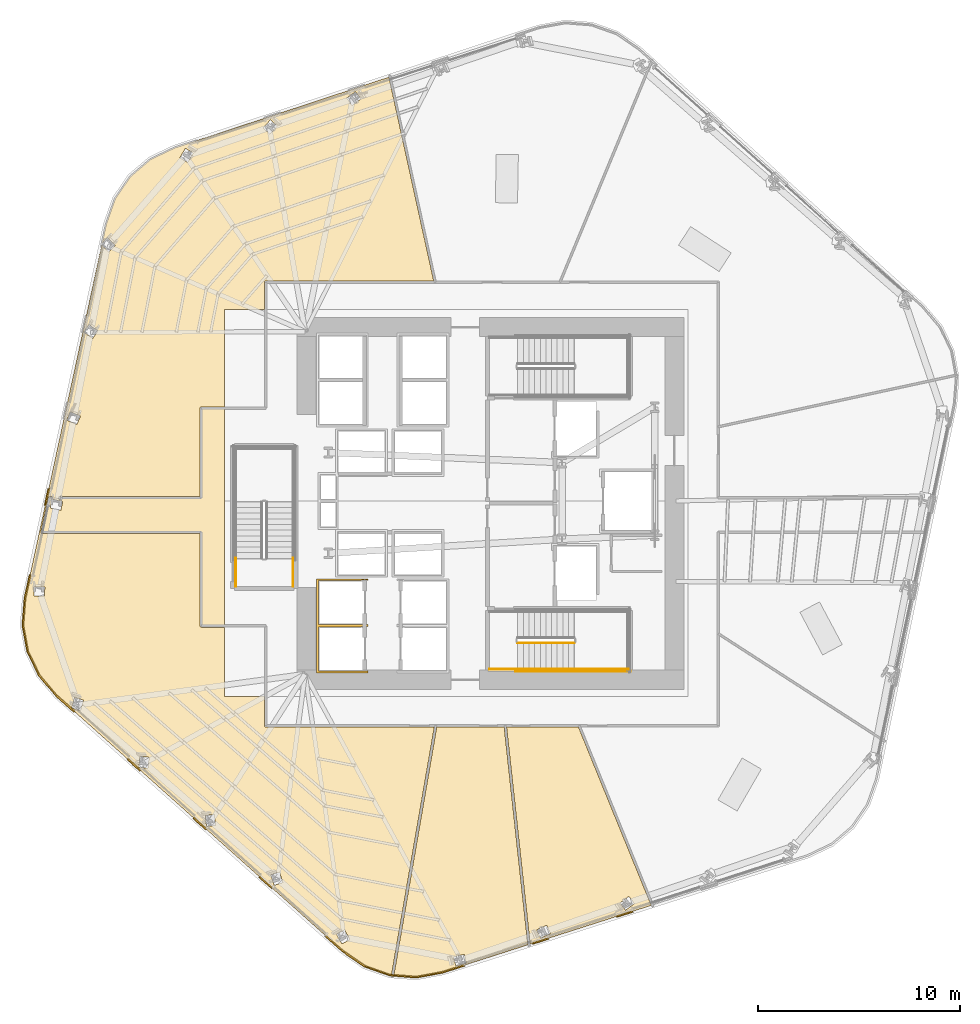
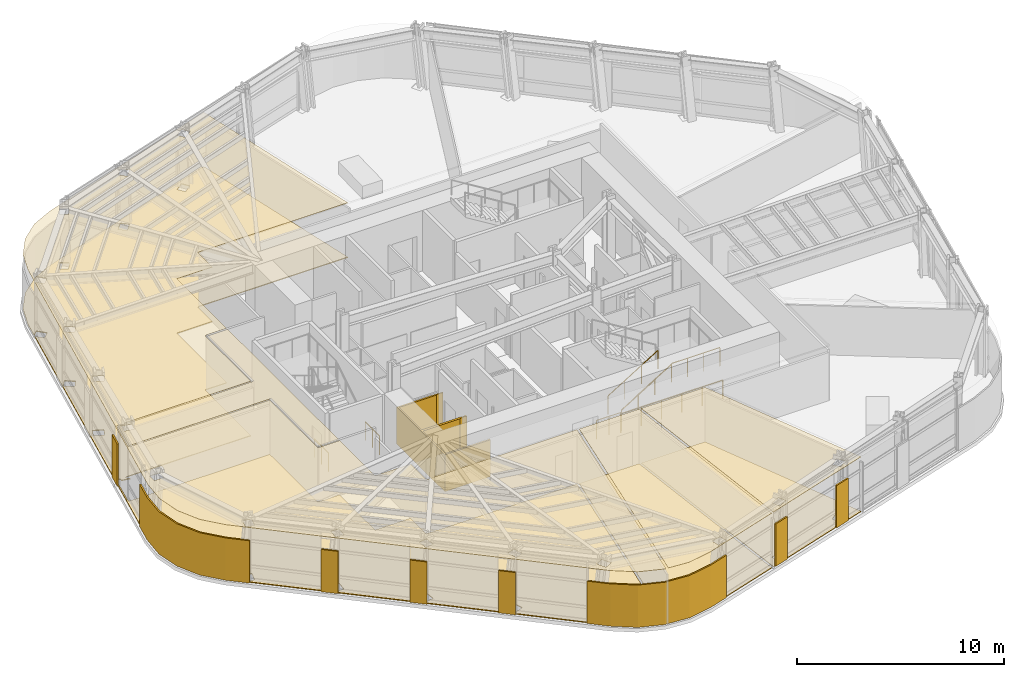
# One storey, part 11 of 16: 16 coverings, 7 railings.
"""IFC4 building model written with IfcOpenShell, lengths in metres."""

from ifc_helpers import new_model, si_unit, direction, frame, origin, origin_2d, place, context, subcontext, project, spatial, polyline, circle, outline, extrude, material, layer, layer_set, type_object, element, save


model = new_model("IFC4")

# Units and contexts
model_context = context("Model", 3, precision=1e-05, world=origin(), true_north=direction((0.0, 1.0)))
body_context = subcontext(model_context, "Body", "Model", "MODEL_VIEW")
ifc_project = project(units=[si_unit("LENGTHUNIT", "METRE"), si_unit("AREAUNIT", "SQUARE_METRE"), si_unit("VOLUMEUNIT", "CUBIC_METRE"), si_unit("PLANEANGLEUNIT", "RADIAN"), si_unit("MASSUNIT", "GRAM", prefix="KILO")], contexts=[model_context])

# Site, building, storey
site_placement = place(None, origin())
site = spatial("IfcSite", under=ifc_project, at=site_placement, CompositionType="ELEMENT")
building_placement = place(site_placement, origin())
building = spatial("IfcBuilding", under=site, at=building_placement, Name="Valkerne Bourse Tower", CompositionType="ELEMENT")
storey_placement = place(building_placement, frame((0.0, 0.0, 101.0)))
storey = spatial("IfcBuildingStorey", under=building, at=storey_placement, Name="L25", CompositionType="ELEMENT", Elevation=101.0)

# Coverings
ifc_material_1 = material(Name="Mineral Fiber Acoustic Ceiling Tile", Category="acoustic")
ifc_layer_1 = layer(ifc_material_1, 0.02490234375)
ifc_layer_set_1 = layer_set([ifc_layer_1], Name="Mineral Fiber Acoustic Ceiling Tile")
covering_type_1 = type_object("IfcCoveringType", Name="COV-CEIL-ACT", PredefinedType="CEILING", material=ifc_layer_set_1)
covering_1_placement = place(storey_placement, frame((0.0, 0.0, 3.22998046875)))
element("IfcCovering", 1, at=covering_1_placement, inside=storey, type_object=covering_type_1, Name="L25 Suspended Ceiling 03", PredefinedType="CEILING", context=body_context, shape_type="SweptSolid", body=[
    extrude(outline(polyline([(51.16357421875, 15.781005859375), (54.77587890625, 6.929443359375), (48.768310546875, 5.005615234375), (47.59765625, 15.781005859375), (51.16357421875, 15.781005859375)]), holes=[polyline([(49.7744140625, 5.531982421875), (49.5869140625, 5.94091796875), (49.583740234375, 5.9404296875), (49.09619140625, 5.715576171875), (49.28369140625, 5.306640625), (49.286865234375, 5.306884765625), (49.7744140625, 5.531982421875)]), polyline([(53.935791015625, 7.01318359375), (53.6689453125, 7.375244140625), (53.666015625, 7.37451171875), (53.234375, 7.0546875), (53.501220703125, 6.692626953125), (53.504150390625, 6.693603515625), (53.935791015625, 7.01318359375)])]), origin(), (0.0, 0.0, 1.0), 0.02490234375),
])
covering_2_placement = place(storey_placement, frame((0.0, 0.0, 3.22998046875)))
element("IfcCovering", 2, at=covering_2_placement, inside=storey, type_object=covering_type_1, Name="L25 Suspended Ceiling 04", PredefinedType="CEILING", context=body_context, shape_type="SweptSolid", body=[
    extrude(outline(polyline([(42.003662109375, 3.459228515625), (44.132080078125, 15.781005859375), (47.47900390625, 15.781005859375), (48.653564453125, 4.968994140625), (44.42236328125, 3.614013671875), (43.114990234375, 3.37158203125), (42.003662109375, 3.459228515625)]), holes=[polyline([(45.601318359375, 4.059814453125), (45.493896484375, 4.49658203125), (45.490478515625, 4.496826171875), (44.969482421875, 4.3671875), (45.076904296875, 3.930419921875), (45.080322265625, 3.93017578125), (45.601318359375, 4.059814453125)])]), origin(), (0.0, 0.0, 1.0), 0.02490234375),
])
covering_3_placement = place(storey_placement, frame((0.0, 0.0, 3.22998046875)))
element("IfcCovering", 3, at=covering_3_placement, inside=storey, type_object=covering_type_1, Name="L25 Suspended Ceiling 09", PredefinedType="CEILING", context=body_context, shape_type="SweptSolid", body=[
    extrude(outline(polyline([(39.460205078125, 4.668701171875), (25.26904296875, 17.337890625), (24.406005859375, 18.34814453125), (23.837890625, 19.539306640625), (23.597412109375, 20.836669921875), (23.701904296875, 22.161376953125), (27.509033203125, 39.706298828125), (27.847900390625, 39.3544921875), (28.171142578125, 39.66455078125), (28.173095703125, 39.66748046875), (27.79931640625, 40.055419921875), (27.5283203125, 39.795654296875), (27.736083984375, 40.752197265625), (28.1796875, 42.00537109375), (28.927001953125, 43.0927734375), (29.930419921875, 43.94970703125), (31.13037109375, 44.522216796875), (41.759033203125, 48.025390625), (43.98095703125, 37.9189453125), (35.6494140625, 37.9189453125), (35.614013671875, 37.9091796875), (35.59033203125, 37.885009765625), (35.5810546875, 37.8505859375), (35.5810546875, 36.5), (33.60009765625, 36.5), (33.60009765625, 31.6689453125), (32.449462890625, 31.6689453125), (32.419921875, 31.662109375), (32.39404296875, 31.640625), (32.381103515625, 31.6005859375), (32.381103515625, 27.218994140625), (25.4208984375, 27.218994140625), (25.384765625, 27.2060546875), (25.363037109375, 27.180419921875), (25.356201171875, 27.146484375), (25.368896484375, 27.10986328125), (25.401123046875, 27.085205078125), (25.5205078125, 27.05908203125), (25.505615234375, 26.98779296875), (25.063232421875, 27.079833984375), (25.0751953125, 27.135986328125), (25.07470703125, 27.165771484375), (25.05859375, 27.196533203125), (25.02490234375, 27.216796875), (24.907470703125, 27.21728515625), (24.873291015625, 27.197509765625), (24.856201171875, 27.165283203125), (24.485595703125, 25.453857421875), (24.489501953125, 25.427001953125), (24.50341796875, 25.403564453125), (24.525390625, 25.387451171875), (24.55419921875, 25.381103515625), (32.381103515625, 25.381103515625), (32.381103515625, 20.79931640625), (32.39404296875, 20.75927734375), (32.419921875, 20.73779296875), (32.449462890625, 20.73095703125), (33.60009765625, 20.73095703125), (33.60009765625, 17.300048828125), (35.5810546875, 17.300048828125), (35.5810546875, 15.849365234375), (35.591064453125, 15.81396484375), (35.619873046875, 15.787841796875), (35.6494140625, 15.781005859375), (44.01220703125, 15.781005859375), (41.885498046875, 3.468505859375), (41.7998046875, 3.475341796875), (40.555908203125, 3.915771484375), (39.460205078125, 4.668701171875)]), holes=[polyline([(36.328857421875, 8.577392578125), (36.326171875, 8.5791015625), (35.899658203125, 8.43798828125), (36.06640625, 7.927001953125), (36.069091796875, 7.92529296875), (36.49560546875, 8.06640625), (36.328857421875, 8.577392578125)]), polyline([(33.09619140625, 11.432861328125), (33.09375, 11.434814453125), (32.6474609375, 11.383544921875), (32.706787109375, 10.84912109375), (32.709228515625, 10.84716796875), (33.155517578125, 10.8984375), (33.09619140625, 11.432861328125)]), polyline([(29.855224609375, 14.275634765625), (29.853515625, 14.2783203125), (29.406005859375, 14.31884765625), (29.355224609375, 13.78369140625), (29.357177734375, 13.781005859375), (29.804443359375, 13.740478515625), (29.855224609375, 14.275634765625)]), polyline([(26.600830078125, 17.113037109375), (26.599365234375, 17.115966796875), (26.167724609375, 17.239990234375), (26.01708984375, 16.723876953125), (26.0185546875, 16.720703125), (26.4501953125, 16.596923828125), (26.600830078125, 17.113037109375)]), polyline([(24.68212890625, 22.730224609375), (24.1435546875, 22.73876953125), (24.135498046875, 22.290771484375), (24.135986328125, 22.28759765625), (24.6748046875, 22.27880859375), (24.682861328125, 22.726806640625), (24.68212890625, 22.730224609375)]), polyline([(26.452880859375, 31.203369140625), (26.45361328125, 31.206298828125), (25.95947265625, 31.42138671875), (25.780029296875, 31.010498046875), (25.779296875, 31.00732421875), (26.2734375, 30.79248046875), (26.452880859375, 31.203369140625)]), polyline([(27.3203125, 35.434814453125), (26.88037109375, 35.74560546875), (26.62109375, 35.380126953125), (26.61962890625, 35.377197265625), (27.059814453125, 35.066162109375), (27.319091796875, 35.431884765625), (27.3203125, 35.434814453125)]), polyline([(32.046875, 44.2607421875), (31.66162109375, 44.492919921875), (31.6591796875, 44.49072265625), (31.38330078125, 44.030029296875), (31.768798828125, 43.798095703125), (31.771240234375, 43.80029296875), (32.046875, 44.2607421875)]), polyline([(35.85498046875, 45.2060546875), (36.212646484375, 45.606689453125), (35.877685546875, 45.906982421875), (35.875, 45.905517578125), (35.517578125, 45.5048828125), (35.852294921875, 45.20458984375), (35.85498046875, 45.2060546875)]), polyline([(39.561767578125, 5.70751953125), (39.55859375, 5.708740234375), (39.16650390625, 5.489990234375), (39.426025390625, 5.019287109375), (39.42919921875, 5.018310546875), (39.821533203125, 5.23681640625), (39.561767578125, 5.70751953125)]), polyline([(39.933837890625, 46.62548828125), (40.365478515625, 46.9453125), (40.0986328125, 47.307373046875), (40.095703125, 47.306396484375), (39.664306640625, 46.98681640625), (39.930908203125, 46.624755859375), (39.933837890625, 46.62548828125)])]), origin(), (0.0, 0.0, 1.0), 0.02490234375),
])
ifc_material_2 = material(Name="Bronze Anodised Aluminium AA 6063-T6", Category="aluminium")
ifc_layer_2 = layer(ifc_material_2, 0.030029296875)
ifc_layer_set_2 = layer_set([ifc_layer_2], Name="Bronze Anodised Aluminium AA 6063-T6")
covering_type_2 = type_object("IfcCoveringType", Name="COV-CEIL-METAL", PredefinedType="CEILING", material=ifc_layer_set_2)
covering_4_placement = place(storey_placement, frame((0.0, 0.0, 3.22998046875)))
element("IfcCovering", 4, at=covering_4_placement, inside=storey, type_object=covering_type_2, Name="L25 Suspended Ceiling 02", PredefinedType="CEILING", context=body_context, shape_type="SweptSolid", body=[
    extrude(outline(polyline([(32.4541015625, 20.803955078125), (32.4541015625, 25.4541015625), (24.5595703125, 25.4541015625), (24.9267578125, 27.14599609375), (32.4541015625, 27.14599609375), (32.4541015625, 31.595947265625), (33.60009765625, 31.595947265625), (33.60009765625, 20.803955078125), (32.4541015625, 20.803955078125)]), holes=[polyline([(25.572509765625, 26.97412109375), (25.045166015625, 27.083740234375), (24.953125, 26.64501953125), (24.953125, 26.641845703125), (25.480712890625, 26.531982421875), (25.572509765625, 26.970703125), (25.572509765625, 26.97412109375)])]), origin(), (0.0, 0.0, 1.0), 0.02490234375),
])
ifc_layer_3 = layer(ifc_material_2, 0.06005859375)
ifc_layer_set_3 = layer_set([ifc_layer_3], Name="Bronze Anodised Aluminium AA 6063-T6")
covering_type_3 = type_object("IfcCoveringType", Name="COV-CRN-ALUM", PredefinedType="CLADDING", material=ifc_layer_set_3)
covering_5_placement = place(storey_placement, origin())
element("IfcCovering", 5, at=covering_5_placement, inside=storey, type_object=covering_type_3, Name="L25 Wind-Shaped Corner Aluminium Cladding 03", PredefinedType="CLADDING", context=body_context, shape_type="SweptSolid", body=[
    extrude(outline(polyline([(53.072021484375, 6.337646484375), (53.04736328125, 6.413818359375), (53.847412109375, 6.669921875), (53.8720703125, 6.593994140625), (53.072021484375, 6.337646484375)])), origin(), (0.0, 0.0, 1.0), 2.5),
])
covering_6_placement = place(storey_placement, origin())
element("IfcCovering", 6, at=covering_6_placement, inside=storey, type_object=covering_type_3, Name="L25 Wind-Shaped Corner Aluminium Cladding 04", PredefinedType="CLADDING", context=body_context, shape_type="SweptSolid", body=[
    extrude(outline(polyline([(48.897705078125, 5.0009765625), (48.873046875, 5.076904296875), (49.673095703125, 5.333251953125), (49.69775390625, 5.257080078125), (48.897705078125, 5.0009765625)])), origin(), (0.0, 0.0, 1.0), 2.5),
])
covering_7_placement = place(storey_placement, origin())
element("IfcCovering", 7, at=covering_7_placement, inside=storey, type_object=covering_type_3, Name="L25 Wind-Shaped Corner Aluminium Cladding 05", PredefinedType="CLADDING", context=body_context, shape_type="SweptSolid", body=[
    extrude(outline(polyline([(44.43310546875, 3.5712890625), (43.117431640625, 3.327392578125), (41.79052734375, 3.431884765625), (40.53564453125, 3.876220703125), (39.43310546875, 4.634033203125), (38.578857421875, 5.396484375), (38.63232421875, 5.4560546875), (39.482421875, 4.697021484375), (40.572265625, 3.947998046875), (41.80712890625, 3.5107421875), (43.11328125, 3.407958984375), (44.41357421875, 3.64892578125), (45.498779296875, 3.99658203125), (45.5234375, 3.92041015625), (44.43310546875, 3.5712890625)])), origin(), (0.0, 0.0, 1.0), 2.5),
])
covering_8_placement = place(storey_placement, origin())
element("IfcCovering", 8, at=covering_8_placement, inside=storey, type_object=covering_type_3, Name="L25 Wind-Shaped Corner Aluminium Cladding 06", PredefinedType="CLADDING", context=body_context, shape_type="SweptSolid", body=[
    extrude(outline(polyline([(35.30908203125, 8.3154296875), (35.36279296875, 8.375), (35.9892578125, 7.815673828125), (35.935791015625, 7.756103515625), (35.30908203125, 8.3154296875)])), origin(), (0.0, 0.0, 1.0), 2.5),
])
covering_9_placement = place(storey_placement, origin())
element("IfcCovering", 9, at=covering_9_placement, inside=storey, type_object=covering_type_3, Name="L25 Wind-Shaped Corner Aluminium Cladding 07", PredefinedType="CLADDING", context=body_context, shape_type="SweptSolid", body=[
    extrude(outline(polyline([(32.03955078125, 11.234619140625), (32.093017578125, 11.2939453125), (32.7197265625, 10.734619140625), (32.666259765625, 10.675048828125), (32.03955078125, 11.234619140625)])), origin(), (0.0, 0.0, 1.0), 2.5),
])
covering_10_placement = place(storey_placement, origin())
element("IfcCovering", 10, at=covering_10_placement, inside=storey, type_object=covering_type_3, Name="L25 Wind-Shaped Corner Aluminium Cladding 08", PredefinedType="CLADDING", context=body_context, shape_type="SweptSolid", body=[
    extrude(outline(polyline([(28.77001953125, 14.153564453125), (28.823486328125, 14.212890625), (29.449951171875, 13.653564453125), (29.396484375, 13.593994140625), (28.77001953125, 14.153564453125)])), origin(), (0.0, 0.0, 1.0), 2.5),
])
covering_11_placement = place(storey_placement, origin())
element("IfcCovering", 11, at=covering_11_placement, inside=storey, type_object=covering_type_3, Name="L25 Wind-Shaped Corner Aluminium Cladding 09", PredefinedType="CLADDING", context=body_context, shape_type="SweptSolid", body=[
    extrude(outline(polyline([(25.237548828125, 17.306884765625), (24.368896484375, 18.323974609375), (23.7958984375, 19.525390625), (23.55322265625, 20.83447265625), (23.658203125, 22.167724609375), (23.910888671875, 23.332763671875), (23.9892578125, 23.316162109375), (23.737548828125, 22.156005859375), (23.6337890625, 20.838623046875), (23.87255859375, 19.55029296875), (24.4365234375, 18.367919921875), (25.294921875, 17.363037109375), (26.180419921875, 16.572509765625), (26.126953125, 16.51318359375), (25.237548828125, 17.306884765625)])), origin(), (0.0, 0.0, 1.0), 2.5),
])
covering_12_placement = place(storey_placement, origin())
element("IfcCovering", 12, at=covering_12_placement, inside=storey, type_object=covering_type_3, Name="L25 Wind-Shaped Corner Aluminium Cladding 10", PredefinedType="CLADDING", context=body_context, shape_type="SweptSolid", body=[
    extrude(outline(polyline([(24.840576171875, 27.6162109375), (24.918701171875, 27.599609375), (24.740478515625, 26.778564453125), (24.662353515625, 26.79541015625), (24.840576171875, 27.6162109375)])), origin(), (0.0, 0.0, 1.0), 2.5),
])
ifc_material_3 = material(Name="Galvanised Painted Steel", Category="steel")
ifc_layer_4 = layer(ifc_material_3, 0.044921875)
ifc_layer_set_4 = layer_set([ifc_layer_4], Name="Galvanised Painted Steel")
covering_type_4 = type_object("IfcCoveringType", Name="COV-FLR-RAF", PredefinedType="FLOORING", material=ifc_layer_set_4)
covering_13_placement = place(storey_placement, origin())
element("IfcCovering", 13, at=covering_13_placement, inside=storey, type_object=covering_type_4, Name="L25 Floor Finish 09", PredefinedType="FLOORING", context=body_context, shape_type="SweptSolid", body=[
    extrude(outline(polyline([(39.460205078125, 4.668701171875), (25.26904296875, 17.337890625), (24.406005859375, 18.34814453125), (23.837890625, 19.539306640625), (23.597412109375, 20.836669921875), (23.701904296875, 22.161376953125), (27.509033203125, 39.706298828125), (27.847900390625, 39.3544921875), (28.171142578125, 39.66455078125), (28.173095703125, 39.66748046875), (27.79931640625, 40.055419921875), (27.5283203125, 39.795654296875), (27.736083984375, 40.752197265625), (28.1796875, 42.00537109375), (28.927001953125, 43.0927734375), (29.930419921875, 43.94970703125), (31.13037109375, 44.522216796875), (41.759033203125, 48.025390625), (43.98095703125, 37.9189453125), (35.6494140625, 37.9189453125), (35.614013671875, 37.9091796875), (35.59033203125, 37.885009765625), (35.5810546875, 37.8505859375), (35.5810546875, 36.5), (33.60009765625, 36.5), (33.60009765625, 31.6689453125), (32.449462890625, 31.6689453125), (32.419921875, 31.662109375), (32.39404296875, 31.640625), (32.381103515625, 31.6005859375), (32.381103515625, 27.218994140625), (25.4208984375, 27.218994140625), (25.384765625, 27.2060546875), (25.363037109375, 27.180419921875), (25.356201171875, 27.146484375), (25.368896484375, 27.10986328125), (25.401123046875, 27.085205078125), (25.5205078125, 27.05908203125), (25.505615234375, 26.98779296875), (25.063232421875, 27.079833984375), (25.0751953125, 27.135986328125), (25.07470703125, 27.165771484375), (25.05859375, 27.196533203125), (25.02490234375, 27.216796875), (24.907470703125, 27.21728515625), (24.873291015625, 27.197509765625), (24.856201171875, 27.165283203125), (24.485595703125, 25.453857421875), (24.489501953125, 25.427001953125), (24.50341796875, 25.403564453125), (24.525390625, 25.387451171875), (24.55419921875, 25.381103515625), (32.381103515625, 25.381103515625), (32.381103515625, 20.79931640625), (32.39404296875, 20.75927734375), (32.419921875, 20.73779296875), (32.449462890625, 20.73095703125), (33.60009765625, 20.73095703125), (33.60009765625, 17.300048828125), (35.5810546875, 17.300048828125), (35.5810546875, 15.849365234375), (35.591064453125, 15.81396484375), (35.619873046875, 15.787841796875), (35.6494140625, 15.781005859375), (44.01220703125, 15.781005859375), (41.885498046875, 3.468505859375), (41.7998046875, 3.475341796875), (40.555908203125, 3.915771484375), (39.460205078125, 4.668701171875)]), holes=[polyline([(36.328857421875, 8.577392578125), (36.326171875, 8.5791015625), (35.899658203125, 8.43798828125), (36.06640625, 7.927001953125), (36.069091796875, 7.92529296875), (36.49560546875, 8.06640625), (36.328857421875, 8.577392578125)]), polyline([(33.09619140625, 11.432861328125), (33.09375, 11.434814453125), (32.6474609375, 11.383544921875), (32.706787109375, 10.84912109375), (32.709228515625, 10.84716796875), (33.155517578125, 10.8984375), (33.09619140625, 11.432861328125)]), polyline([(29.855224609375, 14.275634765625), (29.853515625, 14.2783203125), (29.406005859375, 14.31884765625), (29.355224609375, 13.78369140625), (29.357177734375, 13.781005859375), (29.804443359375, 13.740478515625), (29.855224609375, 14.275634765625)]), polyline([(26.600830078125, 17.113037109375), (26.599365234375, 17.115966796875), (26.167724609375, 17.239990234375), (26.01708984375, 16.723876953125), (26.0185546875, 16.720703125), (26.4501953125, 16.596923828125), (26.600830078125, 17.113037109375)]), polyline([(24.68212890625, 22.730224609375), (24.1435546875, 22.73876953125), (24.135498046875, 22.290771484375), (24.135986328125, 22.28759765625), (24.6748046875, 22.27880859375), (24.682861328125, 22.726806640625), (24.68212890625, 22.730224609375)]), polyline([(26.452880859375, 31.203369140625), (26.45361328125, 31.206298828125), (25.95947265625, 31.42138671875), (25.780029296875, 31.010498046875), (25.779296875, 31.00732421875), (26.2734375, 30.79248046875), (26.452880859375, 31.203369140625)]), polyline([(27.3203125, 35.434814453125), (26.88037109375, 35.74560546875), (26.62109375, 35.380126953125), (26.61962890625, 35.377197265625), (27.059814453125, 35.066162109375), (27.319091796875, 35.431884765625), (27.3203125, 35.434814453125)]), polyline([(32.046875, 44.2607421875), (31.66162109375, 44.492919921875), (31.6591796875, 44.49072265625), (31.38330078125, 44.030029296875), (31.768798828125, 43.798095703125), (31.771240234375, 43.80029296875), (32.046875, 44.2607421875)]), polyline([(35.85498046875, 45.2060546875), (36.212646484375, 45.606689453125), (35.877685546875, 45.906982421875), (35.875, 45.905517578125), (35.517578125, 45.5048828125), (35.852294921875, 45.20458984375), (35.85498046875, 45.2060546875)]), polyline([(39.561767578125, 5.70751953125), (39.55859375, 5.708740234375), (39.16650390625, 5.489990234375), (39.426025390625, 5.019287109375), (39.42919921875, 5.018310546875), (39.821533203125, 5.23681640625), (39.561767578125, 5.70751953125)]), polyline([(39.933837890625, 46.62548828125), (40.365478515625, 46.9453125), (40.0986328125, 47.307373046875), (40.095703125, 47.306396484375), (39.664306640625, 46.98681640625), (39.930908203125, 46.624755859375), (39.933837890625, 46.62548828125)])]), origin(), (0.0, 0.0, 1.0), 0.044921875),
])
ifc_material_4 = material(Name="Polished Granite Stone", Category="masonry")
ifc_layer_5 = layer(ifc_material_4, 0.030029296875)
ifc_layer_set_5 = layer_set([ifc_layer_5], Name="Polished Granite Stone")
covering_type_5 = type_object("IfcCoveringType", Name="COV-FLR-TERRAZZO", PredefinedType="FLOORING", material=ifc_layer_set_5)
covering_14_placement = place(storey_placement, origin())
element("IfcCovering", 14, at=covering_14_placement, inside=storey, type_object=covering_type_5, Name="L25 Floor Finish 03", PredefinedType="FLOORING", context=body_context, shape_type="SweptSolid", body=[
    extrude(outline(polyline([(51.16357421875, 15.781005859375), (54.77587890625, 6.929443359375), (48.768310546875, 5.005615234375), (47.59765625, 15.781005859375), (51.16357421875, 15.781005859375)]), holes=[polyline([(49.7744140625, 5.531982421875), (49.5869140625, 5.94091796875), (49.583740234375, 5.9404296875), (49.09619140625, 5.715576171875), (49.28369140625, 5.306640625), (49.286865234375, 5.306884765625), (49.7744140625, 5.531982421875)]), polyline([(53.935791015625, 7.01318359375), (53.6689453125, 7.375244140625), (53.666015625, 7.37451171875), (53.234375, 7.0546875), (53.501220703125, 6.692626953125), (53.504150390625, 6.693603515625), (53.935791015625, 7.01318359375)])]), origin(), (0.0, 0.0, 1.0), 0.030029296875),
])
covering_15_placement = place(storey_placement, origin())
element("IfcCovering", 15, at=covering_15_placement, inside=storey, type_object=covering_type_5, Name="L25 Floor Finish 04", PredefinedType="FLOORING", context=body_context, shape_type="SweptSolid", body=[
    extrude(outline(polyline([(42.003662109375, 3.459228515625), (44.132080078125, 15.781005859375), (47.47900390625, 15.781005859375), (48.653564453125, 4.968994140625), (44.42236328125, 3.614013671875), (43.114990234375, 3.37158203125), (42.003662109375, 3.459228515625)]), holes=[polyline([(45.601318359375, 4.059814453125), (45.493896484375, 4.49658203125), (45.490478515625, 4.496826171875), (44.969482421875, 4.3671875), (45.076904296875, 3.930419921875), (45.080322265625, 3.93017578125), (45.601318359375, 4.059814453125)])]), origin(), (0.0, 0.0, 1.0), 0.030029296875),
])
ifc_material_5 = material(Name="Gypsum Shaftwall Liner Board", Category="gypsum")
ifc_layer_6 = layer(ifc_material_5, 0.080078125)
ifc_layer_set_6 = layer_set([ifc_layer_6], Name="Gypsum Shaftwall Liner Board")
covering_type_6 = type_object("IfcCoveringType", Name="COV-SHF-CLAD", PredefinedType="CLADDING", material=ifc_layer_set_6)
covering_16_placement = place(storey_placement, origin())
element("IfcCovering", 16, at=covering_16_placement, inside=storey, type_object=covering_type_6, Name="L25 Hoistway & Riser Shaftwall Liner 01", PredefinedType="CLADDING", context=body_context, shape_type="SweptSolid", body=[
    extrude(outline(polyline([(38.169921875, 23.1298828125), (40.72998046875, 23.1298828125), (40.72998046875, 23.052001953125), (40.72216796875, 23.0556640625), (40.6806640625, 23.070556640625), (40.6376953125, 23.081298828125), (40.593994140625, 23.087890625), (40.550048828125, 23.090087890625), (40.505859375, 23.087890625), (40.462158203125, 23.081298828125), (40.41943359375, 23.070556640625), (40.377685546875, 23.0556640625), (40.344482421875, 23.0400390625), (38.260009765625, 23.0400390625), (38.260009765625, 20.860107421875), (40.456787109375, 20.860107421875), (40.462158203125, 20.858642578125), (40.505859375, 20.852294921875), (40.550048828125, 20.85009765625), (40.593994140625, 20.852294921875), (40.6376953125, 20.858642578125), (40.6806640625, 20.869384765625), (40.72216796875, 20.88427734375), (40.72998046875, 20.887939453125), (40.72998046875, 20.830078125), (40.72998046875, 20.77001953125), (40.72998046875, 20.752197265625), (40.72216796875, 20.755615234375), (40.6806640625, 20.7705078125), (40.6376953125, 20.781494140625), (40.593994140625, 20.787841796875), (40.550048828125, 20.7900390625), (40.505859375, 20.787841796875), (40.462158203125, 20.781494140625), (40.41943359375, 20.7705078125), (40.377685546875, 20.755615234375), (40.344482421875, 20.739990234375), (38.260009765625, 20.739990234375), (38.260009765625, 18.56005859375), (40.456787109375, 18.56005859375), (40.462158203125, 18.55859375), (40.505859375, 18.55224609375), (40.550048828125, 18.550048828125), (40.593994140625, 18.55224609375), (40.6376953125, 18.55859375), (40.6806640625, 18.5693359375), (40.72216796875, 18.584228515625), (40.72998046875, 18.587890625), (40.72998046875, 18.469970703125), (38.169921875, 18.469970703125), (38.169921875, 20.77001953125), (38.169921875, 20.830078125), (38.169921875, 23.1298828125)])), origin(), (0.0, 0.0, 1.0), 2.179931640625),
])

# Railings
railing_type_1 = type_object("IfcRailingType", Name="RLG-ST-GUARD-1120", PredefinedType="GUARDRAIL", material=ifc_material_3)
railing_1_placement = place(storey_placement, frame((48.14990234375, 19.949951171875, 0.172607421875)))
element("IfcRailing", 17, at=railing_1_placement, inside=storey, type_object=railing_type_1, Name="L25 ST-1 stair guard 1", PredefinedType="GUARDRAIL", context=body_context, shape_type="SweptSolid", body=[
    extrude(circle(Radius=0.02392578125, at=origin_2d()), frame((0.0, 0.0, 1.09619140625), z_axis=(0.851089632645, 0.0, 0.525020415988), x_axis=(0.0, 1.0, 0.0)), (0.0, 0.0, 1.0), 3.2900390625),
    extrude(circle(Radius=0.02099609375, at=origin_2d()), origin(), (0.0, 0.0, 1.0), 1.072021484375),
    extrude(circle(Radius=0.02099609375, at=origin_2d()), frame((0.933349609375, 0.0, 0.57568359375)), (0.0, 0.0, 1.0), 1.072021484375),
    extrude(circle(Radius=0.02099609375, at=origin_2d()), frame((1.86669921875, 0.0, 1.151611328125)), (0.0, 0.0, 1.0), 1.072021484375),
    extrude(circle(Radius=0.02099609375, at=origin_2d()), frame((2.800048828125, 0.0, 1.727294921875)), (0.0, 0.0, 1.0), 1.072021484375),
])
railing_2_placement = place(storey_placement, frame((50.949951171875, 18.64990234375, 1.89990234375)))
element("IfcRailing", 18, at=railing_2_placement, inside=storey, type_object=railing_type_1, Name="L25 ST-1 stair guard 3", PredefinedType="GUARDRAIL", context=body_context, shape_type="SweptSolid", body=[
    extrude(circle(Radius=0.02392578125, at=origin_2d()), frame((0.0, 0.0, 1.09619140625), z_axis=(1.0, 0.0, 0.0), x_axis=(0.0, 1.0, 0.0)), (0.0, 0.0, 1.0), 2.699951171875),
    extrude(circle(Radius=0.02099609375, at=origin_2d()), origin(), (0.0, 0.0, 1.0), 1.072021484375),
    extrude(circle(Radius=0.02099609375, at=origin_2d()), frame((0.89990234375, 0.0, 0.0)), (0.0, 0.0, 1.0), 1.072021484375),
    extrude(circle(Radius=0.02099609375, at=origin_2d()), frame((1.800048828125, 0.0, 0.0)), (0.0, 0.0, 1.0), 1.072021484375),
    extrude(circle(Radius=0.02099609375, at=origin_2d()), frame((2.699951171875, 0.0, 0.0)), (0.0, 0.0, 1.0), 1.072021484375),
])
railing_3_placement = place(storey_placement, frame((46.75, 18.64990234375, 0.0)))
element("IfcRailing", 19, at=railing_3_placement, inside=storey, type_object=railing_type_1, Name="L25 ST-1 stair guard 8", PredefinedType="GUARDRAIL", context=body_context, shape_type="SweptSolid", body=[
    extrude(circle(Radius=0.02392578125, at=origin_2d()), frame((0.0, 0.0, 1.09619140625), z_axis=(1.0, 0.0, 0.0), x_axis=(0.0, 1.0, 0.0)), (0.0, 0.0, 1.0), 1.39990234375),
    extrude(circle(Radius=0.02099609375, at=origin_2d()), origin(), (0.0, 0.0, 1.0), 1.072021484375),
    extrude(circle(Radius=0.02099609375, at=origin_2d()), frame((0.699951171875, 0.0, 0.0)), (0.0, 0.0, 1.0), 1.072021484375),
    extrude(circle(Radius=0.02099609375, at=origin_2d()), frame((1.39990234375, 0.0, 0.0)), (0.0, 0.0, 1.0), 1.072021484375),
])
railing_4_placement = place(storey_placement, frame((48.050048828125, 18.550048828125, 0.0)))
element("IfcRailing", 20, at=railing_4_placement, inside=storey, type_object=railing_type_1, Name="L25 ST-1 stair guard 10", PredefinedType="GUARDRAIL", context=body_context, shape_type="SweptSolid", body=[
    extrude(circle(Radius=0.02392578125, at=origin_2d()), frame((0.0, 0.0, 1.09619140625), z_axis=(1.0, 0.0, 0.0), x_axis=(0.0, 1.0, 0.0)), (0.0, 0.0, 1.0), 5.699951171875),
    extrude(circle(Radius=0.02099609375, at=origin_2d()), origin(), (0.0, 0.0, 1.0), 1.072021484375),
    extrude(circle(Radius=0.02099609375, at=origin_2d()), frame((1.139892578125, 0.0, 0.0)), (0.0, 0.0, 1.0), 1.072021484375),
    extrude(circle(Radius=0.02099609375, at=origin_2d()), frame((2.280029296875, 0.0, 0.0)), (0.0, 0.0, 1.0), 1.072021484375),
    extrude(circle(Radius=0.02099609375, at=origin_2d()), frame((3.419921875, 0.0, 0.0)), (0.0, 0.0, 1.0), 1.072021484375),
    extrude(circle(Radius=0.02099609375, at=origin_2d()), frame((4.56005859375, 0.0, 0.0)), (0.0, 0.0, 1.0), 1.072021484375),
    extrude(circle(Radius=0.02099609375, at=origin_2d()), frame((5.699951171875, 0.0, 0.0)), (0.0, 0.0, 1.0), 1.072021484375),
])
for number, where, name in (
    (21, (37.0, 22.75, 0.0), "L25 ST-3 stair guard 8"),
    (22, (34.14990234375, 22.75, 0.0), "L25 ST-3 stair guard 9"),
):
    element("IfcRailing", number, at=place(storey_placement, frame(where)), inside=storey, type_object=railing_type_1, Name=name, PredefinedType="GUARDRAIL", context=body_context, shape_type="SweptSolid", body=[
        extrude(circle(Radius=0.02392578125, at=origin_2d()), frame((0.0, 0.0, 1.09619140625), z_axis=(0.0, 1.0, 0.0), x_axis=(-1.0, 0.0, 0.0)), (0.0, 0.0, 1.0), 1.39990234375),
        extrude(circle(Radius=0.02099609375, at=origin_2d()), origin(), (0.0, 0.0, 1.0), 1.072021484375),
        extrude(circle(Radius=0.02099609375, at=origin_2d()), frame((0.0, 0.699951171875, 0.0)), (0.0, 0.0, 1.0), 1.072021484375),
        extrude(circle(Radius=0.02099609375, at=origin_2d()), frame((0.0, 1.39990234375, 0.0)), (0.0, 0.0, 1.0), 1.072021484375),
    ])
ifc_material_6 = material(Name="Stainless Steel AISI 316", Category="steel")
railing_type_2 = type_object("IfcRailingType", Name="RLG-ST-HANDRAIL-900", PredefinedType="HANDRAIL", material=ifc_material_6)
railing_5_placement = place(storey_placement, frame((48.14990234375, 18.64990234375, 0.345458984375)))
element("IfcRailing", 23, at=railing_5_placement, inside=storey, type_object=railing_type_2, Name="L25 ST-1 stair handrail 1", PredefinedType="HANDRAIL", context=body_context, shape_type="SweptSolid", body=[
    extrude(circle(Radius=0.02392578125, at=origin_2d()), frame((0.0, 0.0, 0.8759765625), z_axis=(0.851089632645, 0.0, 0.525020415988), x_axis=(0.0, 1.0, 0.0)), (0.0, 0.0, 1.0), 3.2900390625),
    extrude(circle(Radius=0.02099609375, at=origin_2d()), origin(), (0.0, 0.0, 1.0), 0.851806640625),
    extrude(circle(Radius=0.02099609375, at=origin_2d()), frame((0.933349609375, 0.0, 0.57568359375)), (0.0, 0.0, 1.0), 0.851806640625),
    extrude(circle(Radius=0.02099609375, at=origin_2d()), frame((1.86669921875, 0.0, 1.151611328125)), (0.0, 0.0, 1.0), 0.851806640625),
    extrude(circle(Radius=0.02099609375, at=origin_2d()), frame((2.800048828125, 0.0, 1.727294921875)), (0.0, 0.0, 1.0), 0.851806640625),
])

save(model, "model.ifc")
